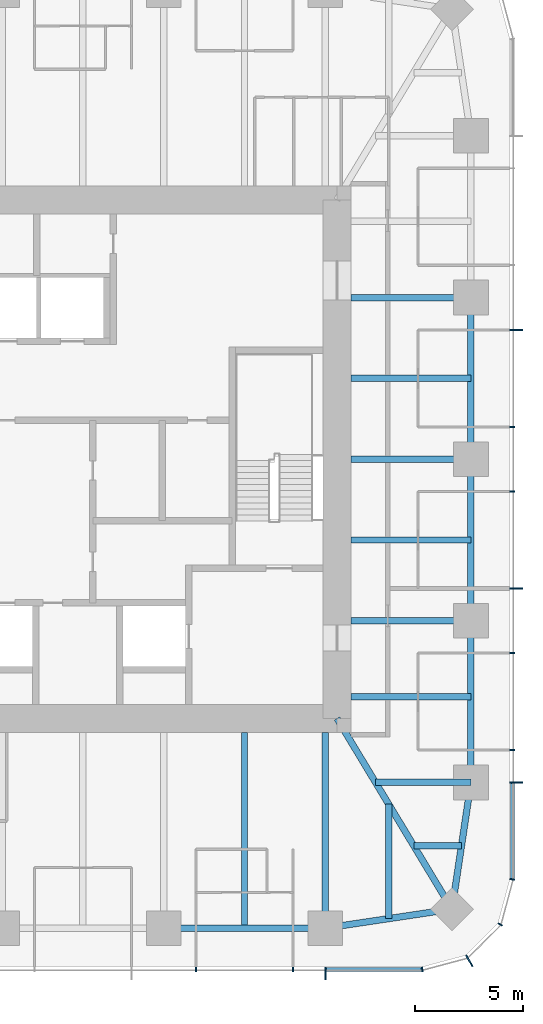
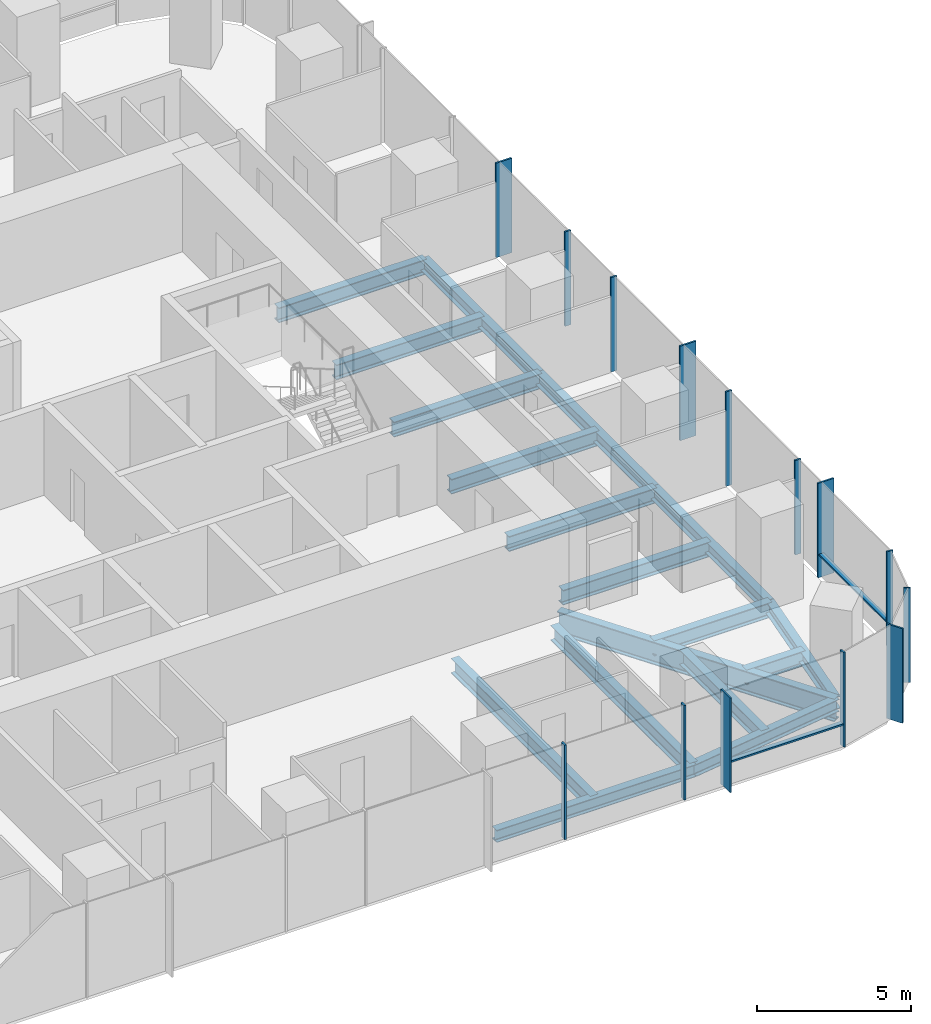
# One storey, part 4 of 12: 18 beams, 16 members, 3 elements without a shape of their own.
"""IFC4 building model written with IfcOpenShell, lengths in metres."""

from ifc_helpers import new_model, si_unit, direction, frame, origin, origin_2d, place, context, subcontext, project, spatial, rectangle, i_section, extrude, material, material_profile, profile_set, type_object, element, aggregate, save


model = new_model("IFC4")

# Units and contexts
model_context = context("Model", 3, precision=1e-05, world=origin(), true_north=direction((0.0, 1.0)))
body_context = subcontext(model_context, "Body", "Model", "MODEL_VIEW")
ifc_project = project(units=[si_unit("LENGTHUNIT", "METRE"), si_unit("AREAUNIT", "SQUARE_METRE"), si_unit("VOLUMEUNIT", "CUBIC_METRE"), si_unit("PLANEANGLEUNIT", "RADIAN"), si_unit("MASSUNIT", "GRAM", prefix="KILO")], contexts=[model_context])

# Site, building, storey
site_placement = place(None, origin())
site = spatial("IfcSite", under=ifc_project, at=site_placement, CompositionType="ELEMENT")
building_placement = place(site_placement, origin())
building = spatial("IfcBuilding", under=site, at=building_placement, Name="Khuree Lantern Residences", CompositionType="ELEMENT")
storey_placement = place(building_placement, frame((0.0, 0.0, 308.25)))
storey = spatial("IfcBuildingStorey", under=building, at=storey_placement, Name="L77", CompositionType="ELEMENT", Elevation=308.25)

# Beams
ifc_material_1 = material(Name="Steel S355", Category="steel")
ifc_material_profile_1 = material_profile(ifc_material_1, i_section(OverallWidth=0.300048828125, OverallDepth=0.590087890625, WebThickness=0.012939453125, FlangeThickness=0.02490234375, FilletRadius=0.027099609375, at=origin_2d()), Name="HE 600 A")
ifc_profile_set_1 = profile_set([ifc_material_profile_1], Name="Steel S355")
beam_type_1 = type_object("IfcBeamType", Name="B-42 SECONDARY BEAM HE 600 A", PredefinedType="BEAM", material=ifc_profile_set_1)
for number, where, z_axis, x_axis, name in (
    (1, (21.699951171875, 3.739990234375, -0.544921875), (-1.0, 0.0, 0.0), (0.0, -1.0, 0.0), "Secondary beam E3"),
    (2, (21.699951171875, -3.739990234375, -0.544921875), (-1.0, 0.0, 0.0), (0.0, -1.0, 0.0), "Secondary beam E4"),
    (3, (21.699951171875, -11.0, -0.544921875), (-1.0, 0.0, 0.0), (0.0, -1.0, 0.0), "Secondary beam E5"),
):
    element("IfcBeam", number, at=place(storey_placement, frame(where, z_axis=z_axis, x_axis=x_axis)), inside=storey, type_object=beam_type_1, Name=name, PredefinedType="BEAM", context=body_context, shape_type="SweptSolid", body=[
        extrude(i_section(OverallWidth=0.300048828125, OverallDepth=0.590087890625, WebThickness=0.012939453125, FlangeThickness=0.02490234375, FilletRadius=0.027099609375, at=origin_2d()), origin(), (0.0, 0.0, 1.0), 5.550048828125),
    ])
beam_1_placement = place(storey_placement, frame((21.2607421875, -17.890625, -0.544921875), z_axis=(-1.0, 0.0, 0.0), x_axis=(0.0, -1.0, 0.0)))
element("IfcBeam", 4, at=beam_1_placement, inside=storey, type_object=beam_type_1, Name="Secondary beam E6", PredefinedType="BEAM", context=body_context, shape_type="SweptSolid", body=[
    extrude(i_section(OverallWidth=0.300048828125, OverallDepth=0.590087890625, WebThickness=0.012939453125, FlangeThickness=0.02490234375, FilletRadius=0.027099609375, at=origin_2d()), origin(), (0.0, 0.0, 1.0), 2.207275390625),
])
beam_2_placement = place(storey_placement, frame((17.890625, -21.2607421875, -0.544921875), z_axis=(0.0, 1.0, 0.0), x_axis=(-1.0, 0.0, 0.0)))
element("IfcBeam", 5, at=beam_2_placement, inside=storey, type_object=beam_type_1, Name="Secondary beam S1", PredefinedType="BEAM", context=body_context, shape_type="SweptSolid", body=[
    extrude(i_section(OverallWidth=0.300048828125, OverallDepth=0.590087890625, WebThickness=0.012939453125, FlangeThickness=0.02490234375, FilletRadius=0.027099609375, at=origin_2d()), origin(), (0.0, 0.0, 1.0), 5.297607421875),
])
beam_3_placement = place(storey_placement, frame((11.219970703125, -21.699951171875, -0.544921875), z_axis=(0.0, 1.0, 0.0), x_axis=(-1.0, 0.0, 0.0)))
element("IfcBeam", 6, at=beam_3_placement, inside=storey, type_object=beam_type_1, Name="Secondary beam S2", PredefinedType="BEAM", context=body_context, shape_type="SweptSolid", body=[
    extrude(i_section(OverallWidth=0.300048828125, OverallDepth=0.590087890625, WebThickness=0.012939453125, FlangeThickness=0.02490234375, FilletRadius=0.027099609375, at=origin_2d()), origin(), (0.0, 0.0, 1.0), 9.050048828125),
])
ifc_material_profile_2 = material_profile(ifc_material_1, i_section(OverallWidth=0.300048828125, OverallDepth=0.489990234375, WebThickness=0.011962890625, FlangeThickness=0.02294921875, FilletRadius=0.027099609375, at=origin_2d()), Name="HE 500 A")
ifc_profile_set_2 = profile_set([ifc_material_profile_2], Name="Steel S355")
beam_type_2 = type_object("IfcBeamType", Name="E-42 SPANDREL BEAM HE 500 A", PredefinedType="SPANDREL", material=ifc_profile_set_2)
for number, where, z_axis, x_axis, name in (
    (7, (21.699951171875, 7.47998046875, -0.4951171875), (0.0, -1.0, 0.0), (1.0, 0.0, 0.0), "Spandrel beam E3"),
    (8, (21.699951171875, 0.0, -0.4951171875), (0.0, -1.0, 0.0), (1.0, 0.0, 0.0), "Spandrel beam E4"),
    (9, (21.699951171875, -7.47998046875, -0.4951171875), (0.0, -1.0, 0.0), (1.0, 0.0, 0.0), "Spandrel beam E5"),
):
    element("IfcBeam", number, at=place(storey_placement, frame(where, z_axis=z_axis, x_axis=x_axis)), inside=storey, type_object=beam_type_2, Name=name, PredefinedType="SPANDREL", context=body_context, shape_type="SweptSolid", body=[
        extrude(i_section(OverallWidth=0.300048828125, OverallDepth=0.489990234375, WebThickness=0.011962890625, FlangeThickness=0.02294921875, FilletRadius=0.027099609375, at=origin_2d()), origin(), (0.0, 0.0, 1.0), 7.47998046875),
    ])
for number, where, z_axis, x_axis, name in (
    (10, (21.699951171875, -14.9599609375, -0.4951171875), (-0.148251822985, -0.988949643299, 0.0), (0.988949643299, -0.148251822985, 0.0), "Spandrel beam E6"),
    (11, (20.8212890625, -20.8212890625, -0.4951171875), (-0.988949643299, -0.148251822985, 0.0), (0.148251822985, -0.988949643299, 0.0), "Spandrel beam S1"),
):
    element("IfcBeam", number, at=place(storey_placement, frame(where, z_axis=z_axis, x_axis=x_axis)), inside=storey, type_object=beam_type_2, Name=name, PredefinedType="SPANDREL", context=body_context, shape_type="SweptSolid", body=[
        extrude(i_section(OverallWidth=0.300048828125, OverallDepth=0.489990234375, WebThickness=0.011962890625, FlangeThickness=0.02294921875, FilletRadius=0.027099609375, at=origin_2d()), origin(), (0.0, 0.0, 1.0), 5.9267578125),
    ])
beam_4_placement = place(storey_placement, frame((14.9599609375, -21.699951171875, -0.4951171875), z_axis=(-1.0, 0.0, 0.0), x_axis=(0.0, -1.0, 0.0)))
element("IfcBeam", 12, at=beam_4_placement, inside=storey, type_object=beam_type_2, Name="Spandrel beam S2", PredefinedType="SPANDREL", context=body_context, shape_type="SweptSolid", body=[
    extrude(i_section(OverallWidth=0.300048828125, OverallDepth=0.489990234375, WebThickness=0.011962890625, FlangeThickness=0.02294921875, FilletRadius=0.027099609375, at=origin_2d()), origin(), (0.0, 0.0, 1.0), 7.47998046875),
])

# Curtain wall, member
ifc_material_2 = material(Name="Bronze anodised aluminium", Category="aluminium")
curtain_wall_type_1 = type_object("IfcCurtainWallType", Name="CW-T2 TOWER CORNER CURTAIN WALL", PredefinedType="USERDEFINED", material=ifc_material_2)
curtain_wall_1_placement = place(storey_placement, origin())
curtain_wall_1 = element("IfcCurtainWall", 13, at=curtain_wall_1_placement, inside=storey, type_object=curtain_wall_type_1, Name="L77 SOUTH-EAST CORNER CURTAIN WALL", ObjectType="Faceted corner curtain wall", PredefinedType="USERDEFINED")
ifc_material_profile_3 = material_profile(ifc_material_2, rectangle(XDim=0.06494140625, YDim=0.60009765625, at=origin_2d()), Name="F1 65X600")
ifc_profile_set_3 = profile_set([ifc_material_profile_3], Name="Bronze anodised aluminium")
member_type_1 = type_object("IfcMemberType", Name="F1 BRONZE FIN MULLION TOWER 65X600", PredefinedType="MULLION", material=ifc_profile_set_3)
member_1_placement = place(storey_placement, frame((21.625, -23.21728515625, 0.0), z_axis=(0.0, 0.0, 1.0), x_axis=(0.866025437565, 0.49999994149, 0.0)))
member_1 = element("IfcMember", 14, at=member_1_placement, type_object=member_type_1, Name="L77 SOUTH-EAST CORNER FIN MULLION 2", PredefinedType="MULLION", context=body_context, shape_type="SweptSolid", body=[
    extrude(rectangle(XDim=0.06494140625, YDim=0.60009765625, at=origin_2d()), origin(), (0.0, 0.0, 1.0), 3.75),
])

# Curtain wall, members
curtain_wall_type_2 = type_object("IfcCurtainWallType", Name="CW-T1 TOWER FACE CURTAIN WALL", PredefinedType="USERDEFINED", material=ifc_material_2)
curtain_wall_2_placement = place(storey_placement, origin())
curtain_wall_2 = element("IfcCurtainWall", 15, at=curtain_wall_2_placement, inside=storey, type_object=curtain_wall_type_2, Name="L77 EAST FACE CURTAIN WALL", ObjectType="Stick-built curtain wall", PredefinedType="USERDEFINED")
member_2_placement = place(storey_placement, frame((23.800048828125, -14.9599609375, 0.0), z_axis=(0.0, 0.0, 1.0), x_axis=(0.0, 1.0, 0.0)))
member_2 = element("IfcMember", 16, at=member_2_placement, type_object=member_type_1, Name="L77 EAST FACE FIN MULLION 5", PredefinedType="MULLION", context=body_context, shape_type="SweptSolid", body=[
    extrude(rectangle(XDim=0.06494140625, YDim=0.60009765625, at=origin_2d()), origin(), (0.0, 0.0, 1.0), 3.75),
])
member_3_placement = place(storey_placement, frame((23.800048828125, -5.98388671875, 0.0), z_axis=(0.0, 0.0, 1.0), x_axis=(0.0, 1.0, 0.0)))
member_3 = element("IfcMember", 17, at=member_3_placement, type_object=member_type_1, Name="L77 EAST FACE FIN MULLION 8", PredefinedType="MULLION", context=body_context, shape_type="SweptSolid", body=[
    extrude(rectangle(XDim=0.06494140625, YDim=0.60009765625, at=origin_2d()), origin(), (0.0, 0.0, 1.0), 3.75),
])
member_4_placement = place(storey_placement, frame((23.800048828125, 5.98388671875, 0.0), z_axis=(0.0, 0.0, 1.0), x_axis=(0.0, 1.0, 0.0)))
member_4 = element("IfcMember", 18, at=member_4_placement, type_object=member_type_1, Name="L77 EAST FACE FIN MULLION 11", PredefinedType="MULLION", context=body_context, shape_type="SweptSolid", body=[
    extrude(rectangle(XDim=0.06494140625, YDim=0.60009765625, at=origin_2d()), origin(), (0.0, 0.0, 1.0), 3.75),
])

# Curtain wall, member
curtain_wall_3_placement = place(storey_placement, origin())
curtain_wall_3 = element("IfcCurtainWall", 19, at=curtain_wall_3_placement, inside=storey, type_object=curtain_wall_type_2, Name="L77 SOUTH FACE CURTAIN WALL", ObjectType="Stick-built curtain wall", PredefinedType="USERDEFINED")
member_5_placement = place(storey_placement, frame((14.9599609375, -23.800048828125, 0.0), z_axis=(0.0, 0.0, 1.0), x_axis=(1.0, 0.0, 0.0)))
member_5 = element("IfcMember", 20, at=member_5_placement, type_object=member_type_1, Name="L77 SOUTH FACE FIN MULLION 56", PredefinedType="MULLION", context=body_context, shape_type="SweptSolid", body=[
    extrude(rectangle(XDim=0.06494140625, YDim=0.60009765625, at=origin_2d()), origin(), (0.0, 0.0, 1.0), 3.75),
])

# Beams
ifc_material_profile_4 = material_profile(ifc_material_1, i_section(OverallWidth=0.300048828125, OverallDepth=0.60009765625, WebThickness=0.015380859375, FlangeThickness=0.030029296875, FilletRadius=0.027099609375, at=origin_2d()), Name="HE 600 B")
ifc_profile_set_4 = profile_set([ifc_material_profile_4], Name="Steel S355")
beam_type_3 = type_object("IfcBeamType", Name="G-42 GIRDER HE 600 B", PredefinedType="BEAM", material=ifc_profile_set_4)
for number, where, z_axis, x_axis, name in (
    (21, (21.699951171875, 7.47998046875, -0.550048828125), (-1.0, 0.0, 0.0), (0.0, -1.0, 0.0), "Girder E2"),
    (22, (21.699951171875, 0.0, -0.550048828125), (-1.0, 0.0, 0.0), (0.0, -1.0, 0.0), "Girder E3"),
    (23, (21.699951171875, -7.47998046875, -0.550048828125), (-1.0, 0.0, 0.0), (0.0, -1.0, 0.0), "Girder E4"),
):
    element("IfcBeam", number, at=place(storey_placement, frame(where, z_axis=z_axis, x_axis=x_axis)), inside=storey, type_object=beam_type_3, Name=name, PredefinedType="BEAM", context=body_context, shape_type="SweptSolid", body=[
        extrude(i_section(OverallWidth=0.300048828125, OverallDepth=0.60009765625, WebThickness=0.015380859375, FlangeThickness=0.030029296875, FilletRadius=0.027099609375, at=origin_2d()), origin(), (0.0, 0.0, 1.0), 5.550048828125),
    ])
beam_5_placement = place(storey_placement, frame((21.699951171875, -14.9599609375, -0.550048828125), z_axis=(-1.0, 0.0, 0.0), x_axis=(0.0, -1.0, 0.0)))
element("IfcBeam", 24, at=beam_5_placement, inside=storey, type_object=beam_type_3, Name="Girder E5", PredefinedType="BEAM", context=body_context, shape_type="SweptSolid", body=[
    extrude(i_section(OverallWidth=0.300048828125, OverallDepth=0.60009765625, WebThickness=0.015380859375, FlangeThickness=0.030029296875, FilletRadius=0.027099609375, at=origin_2d()), origin(), (0.0, 0.0, 1.0), 4.414306640625),
])
beam_6_placement = place(storey_placement, frame((14.9599609375, -21.699951171875, -0.550048828125), z_axis=(0.0, 1.0, 0.0), x_axis=(-1.0, 0.0, 0.0)))
element("IfcBeam", 25, at=beam_6_placement, inside=storey, type_object=beam_type_3, Name="Girder S1", PredefinedType="BEAM", context=body_context, shape_type="SweptSolid", body=[
    extrude(i_section(OverallWidth=0.300048828125, OverallDepth=0.60009765625, WebThickness=0.015380859375, FlangeThickness=0.030029296875, FilletRadius=0.027099609375, at=origin_2d()), origin(), (0.0, 0.0, 1.0), 9.050048828125),
])
ifc_material_profile_5 = material_profile(ifc_material_1, i_section(OverallWidth=0.300048828125, OverallDepth=0.89990234375, WebThickness=0.0185546875, FlangeThickness=0.034912109375, FilletRadius=0.030029296875, at=origin_2d()), Name="HE 900 B")
ifc_profile_set_5 = profile_set([ifc_material_profile_5], Name="Steel S355")
beam_type_4 = type_object("IfcBeamType", Name="GD-42 CORNER GIRDER HE 900 B", PredefinedType="BEAM", material=ifc_profile_set_5)
beam_7_placement = place(storey_placement, frame((20.8212890625, -20.8212890625, -0.699951171875), z_axis=(-0.516529577604, 0.856269347495, 0.0), x_axis=(-0.856269347495, -0.516529577604, 0.0)))
element("IfcBeam", 26, at=beam_7_placement, inside=storey, type_object=beam_type_4, Name="Corner girder SE", PredefinedType="BEAM", context=body_context, shape_type="SweptSolid", body=[
    extrude(i_section(OverallWidth=0.300048828125, OverallDepth=0.89990234375, WebThickness=0.0185546875, FlangeThickness=0.034912109375, FilletRadius=0.030029296875, at=origin_2d()), origin(), (0.0, 0.0, 1.0), 10.302001953125),
])

# Member
ifc_material_profile_6 = material_profile(ifc_material_2, rectangle(XDim=0.06494140625, YDim=0.219970703125, at=origin_2d()), Name="M1 65X220")
ifc_profile_set_6 = profile_set([ifc_material_profile_6], Name="Bronze anodised aluminium")
member_type_2 = type_object("IfcMemberType", Name="M1 BRONZE MULLION TOWER 65X220", PredefinedType="MULLION", material=ifc_profile_set_6)
member_6_placement = place(storey_placement, frame((19.445068359375, -23.61181640625, 0.0), z_axis=(0.0, 0.0, 1.0), x_axis=(0.991444870192, 0.130526125236, 0.0)))
member_6 = element("IfcMember", 27, at=member_6_placement, type_object=member_type_2, Name="L77 SOUTH-EAST CORNER MULLION 1", PredefinedType="MULLION", context=body_context, shape_type="SweptSolid", body=[
    extrude(rectangle(XDim=0.06494140625, YDim=0.219970703125, at=origin_2d()), origin(), (0.0, 0.0, 1.0), 3.75),
])

member_7_placement = place(storey_placement, frame((23.052734375, -21.530029296875, 0.0), z_axis=(0.0, 0.0, 1.0), x_axis=(0.49999994149, 0.866025437565, 0.0)))
member_7 = element("IfcMember", 28, at=member_7_placement, type_object=member_type_2, Name="L77 SOUTH-EAST CORNER MULLION 3", PredefinedType="MULLION", context=body_context, shape_type="SweptSolid", body=[
    extrude(rectangle(XDim=0.06494140625, YDim=0.219970703125, at=origin_2d()), origin(), (0.0, 0.0, 1.0), 3.75),
])

aggregate(curtain_wall_1, [member_6, member_1, member_7])

member_8_placement = place(storey_placement, frame((23.61181640625, -19.445068359375, 0.0), z_axis=(0.0, 0.0, 1.0), x_axis=(0.130526125236, 0.991444870192, 0.0)))
member_8 = element("IfcMember", 29, at=member_8_placement, type_object=member_type_2, Name="L77 EAST FACE MULLION 4", PredefinedType="MULLION", context=body_context, shape_type="SweptSolid", body=[
    extrude(rectangle(XDim=0.06494140625, YDim=0.219970703125, at=origin_2d()), origin(), (0.0, 0.0, 1.0), 3.75),
])

member_9_placement = place(storey_placement, frame((23.610107421875, -13.464111328125, 0.0), z_axis=(0.0, 0.0, 1.0), x_axis=(0.0, 1.0, 0.0)))
member_9 = element("IfcMember", 30, at=member_9_placement, type_object=member_type_2, Name="L77 EAST FACE MULLION 6", PredefinedType="MULLION", context=body_context, shape_type="SweptSolid", body=[
    extrude(rectangle(XDim=0.06494140625, YDim=0.219970703125, at=origin_2d()), origin(), (0.0, 0.0, 1.0), 3.75),
])

member_10_placement = place(storey_placement, frame((23.610107421875, -8.97607421875, 0.0), z_axis=(0.0, 0.0, 1.0), x_axis=(0.0, 1.0, 0.0)))
member_10 = element("IfcMember", 31, at=member_10_placement, type_object=member_type_2, Name="L77 EAST FACE MULLION 7", PredefinedType="MULLION", context=body_context, shape_type="SweptSolid", body=[
    extrude(rectangle(XDim=0.06494140625, YDim=0.219970703125, at=origin_2d()), origin(), (0.0, 0.0, 1.0), 3.75),
])

member_11_placement = place(storey_placement, frame((23.610107421875, -1.49609375, 0.0), z_axis=(0.0, 0.0, 1.0), x_axis=(0.0, 1.0, 0.0)))
member_11 = element("IfcMember", 32, at=member_11_placement, type_object=member_type_2, Name="L77 EAST FACE MULLION 9", PredefinedType="MULLION", context=body_context, shape_type="SweptSolid", body=[
    extrude(rectangle(XDim=0.06494140625, YDim=0.219970703125, at=origin_2d()), origin(), (0.0, 0.0, 1.0), 3.75),
])

member_12_placement = place(storey_placement, frame((23.610107421875, 1.49609375, 0.0), z_axis=(0.0, 0.0, 1.0), x_axis=(0.0, 1.0, 0.0)))
member_12 = element("IfcMember", 33, at=member_12_placement, type_object=member_type_2, Name="L77 EAST FACE MULLION 10", PredefinedType="MULLION", context=body_context, shape_type="SweptSolid", body=[
    extrude(rectangle(XDim=0.06494140625, YDim=0.219970703125, at=origin_2d()), origin(), (0.0, 0.0, 1.0), 3.75),
])

member_13_placement = place(storey_placement, frame((8.97607421875, -23.610107421875, 0.0), z_axis=(0.0, 0.0, 1.0), x_axis=(1.0, 0.0, 0.0)))
member_13 = element("IfcMember", 34, at=member_13_placement, type_object=member_type_2, Name="L77 SOUTH FACE MULLION 54", PredefinedType="MULLION", context=body_context, shape_type="SweptSolid", body=[
    extrude(rectangle(XDim=0.06494140625, YDim=0.219970703125, at=origin_2d()), origin(), (0.0, 0.0, 1.0), 3.75),
])

member_14_placement = place(storey_placement, frame((13.464111328125, -23.610107421875, 0.0), z_axis=(0.0, 0.0, 1.0), x_axis=(1.0, 0.0, 0.0)))
member_14 = element("IfcMember", 35, at=member_14_placement, type_object=member_type_2, Name="L77 SOUTH FACE MULLION 55", PredefinedType="MULLION", context=body_context, shape_type="SweptSolid", body=[
    extrude(rectangle(XDim=0.06494140625, YDim=0.219970703125, at=origin_2d()), origin(), (0.0, 0.0, 1.0), 3.75),
])

ifc_material_profile_7 = material_profile(ifc_material_2, rectangle(XDim=0.179931640625, YDim=0.06494140625, at=origin_2d()), Name="T1 180X65")
ifc_profile_set_7 = profile_set([ifc_material_profile_7], Name="Bronze anodised aluminium")
member_type_3 = type_object("IfcMemberType", Name="TRANSOM T1 TOWER 180X65", PredefinedType="USERDEFINED", material=ifc_profile_set_7)
member_15_placement = place(storey_placement, frame((23.6201171875, -19.4013671875, 0.89990234375), z_axis=(0.0, 1.0, 0.0), x_axis=(-1.0, 0.0, 0.0)))
member_15 = element("IfcMember", 36, at=member_15_placement, type_object=member_type_3, Name="L77 EAST FACE TRANSOM 4.1", ObjectType="Transom", PredefinedType="USERDEFINED", context=body_context, shape_type="SweptSolid", body=[
    extrude(rectangle(XDim=0.179931640625, YDim=0.06494140625, at=origin_2d()), origin(), (0.0, 0.0, 1.0), 4.408935546875),
])

aggregate(curtain_wall_2, [member_8, member_2, member_9, member_10, member_3, member_11, member_12, member_4, member_15])

member_16_placement = place(storey_placement, frame((14.992431640625, -23.6201171875, 0.89990234375), z_axis=(1.0, 0.0, 0.0), x_axis=(0.0, 1.0, 0.0)))
member_16 = element("IfcMember", 37, at=member_16_placement, type_object=member_type_3, Name="L77 SOUTH FACE TRANSOM 56.1", ObjectType="Transom", PredefinedType="USERDEFINED", context=body_context, shape_type="SweptSolid", body=[
    extrude(rectangle(XDim=0.179931640625, YDim=0.06494140625, at=origin_2d()), origin(), (0.0, 0.0, 1.0), 4.408935546875),
])

aggregate(curtain_wall_3, [member_13, member_14, member_5, member_16])

save(model, "model.ifc")
